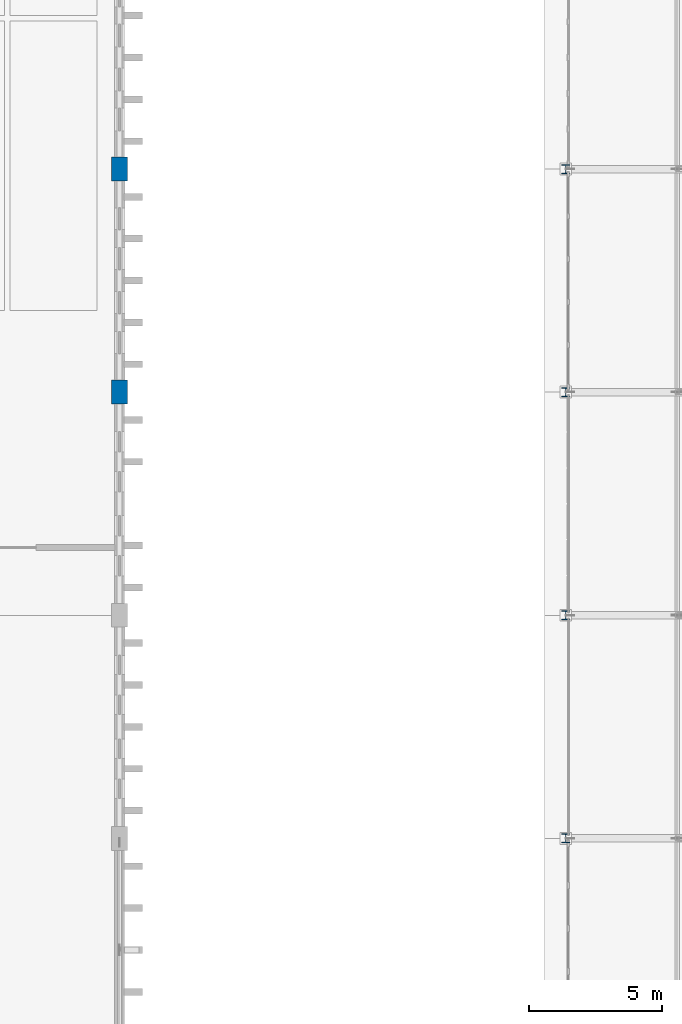
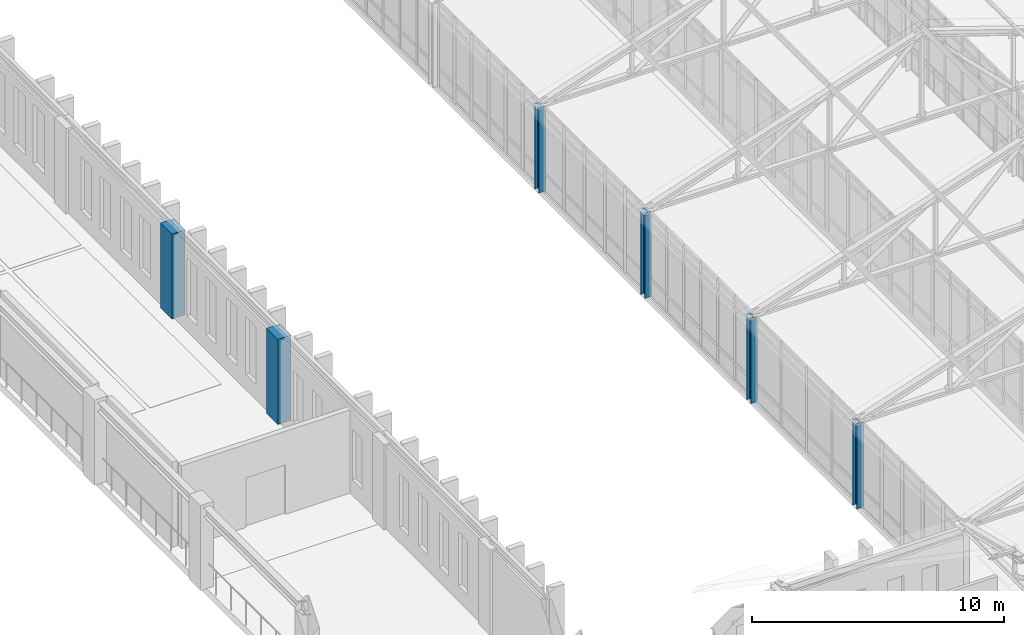
# One storey, part 4 of 192: 6 columns.
"""IFC4 building model written with IfcOpenShell, lengths in metres."""

from ifc_helpers import new_model, si_unit, direction, frame, origin, origin_2d, place, context, subcontext, project, spatial, rectangle, i_section, extrude, material, material_profile, profile_set, type_object, element, save


model = new_model("IFC4")

# Units and contexts
model_context = context("Model", 3, precision=1e-05, world=origin(), true_north=direction((0.0, 1.0)))
body_context = subcontext(model_context, "Body", "Model", "MODEL_VIEW")
ifc_project = project(units=[si_unit("LENGTHUNIT", "METRE"), si_unit("AREAUNIT", "SQUARE_METRE"), si_unit("VOLUMEUNIT", "CUBIC_METRE"), si_unit("PLANEANGLEUNIT", "RADIAN"), si_unit("MASSUNIT", "GRAM", prefix="KILO")], contexts=[model_context])

# Site, building, storey
site_placement = place(None, origin())
site = spatial("IfcSite", under=ifc_project, at=site_placement, CompositionType="ELEMENT")
building_placement = place(site_placement, origin())
building = spatial("IfcBuilding", under=site, at=building_placement, Name="Kveldsbrygga Polytechnic", CompositionType="ELEMENT")
storey_placement = place(building_placement, frame((0.0, 0.0, 5.43994140625)))
storey = spatial("IfcBuildingStorey", under=building, at=storey_placement, Name="L01", CompositionType="ELEMENT", Elevation=5.43994140625)

# Columns
ifc_material_1 = material(Name="Concrete C45/55", Category="concrete")
ifc_material_profile_1 = material_profile(ifc_material_1, rectangle(XDim=0.60009765625, YDim=0.89990234375, at=origin_2d()), Name="RC 600x900")
ifc_profile_set_1 = profile_set([ifc_material_profile_1], Name="Concrete C45/55")
column_type_1 = type_object("IfcColumnType", Name="COL-CRANE-900", PredefinedType="COLUMN", material=ifc_profile_set_1)
for number, where, z_axis, x_axis, name in (
    (1, (33.60009765625, 50.39990234375, 0.0), (0.0, 0.0, 1.0), (1.0, 0.0, 0.0), "Column COL-L01-04-06"),
    (2, (33.60009765625, 58.800048828125, 0.0), (0.0, 0.0, 1.0), (1.0, 0.0, 0.0), "Column COL-L01-04-07"),
):
    element("IfcColumn", number, at=place(storey_placement, frame(where, z_axis=z_axis, x_axis=x_axis)), inside=storey, type_object=column_type_1, Name=name, PredefinedType="COLUMN", context=body_context, shape_type="SweptSolid", body=[
        extrude(rectangle(XDim=0.60009765625, YDim=0.89990234375, at=origin_2d()), origin(), (0.0, 0.0, 1.0), 4.1201171875),
    ])
ifc_material_2 = material(Name="Steel S355", Category="steel")
ifc_material_profile_2 = material_profile(ifc_material_2, i_section(OverallWidth=0.300048828125, OverallDepth=0.340087890625, WebThickness=0.011962890625, FlangeThickness=0.021484375, FilletRadius=0.027099609375, at=origin_2d()), Name="HEB 340")
ifc_profile_set_2 = profile_set([ifc_material_profile_2], Name="Steel S355")
column_type_2 = type_object("IfcColumnType", Name="COL-STL-HEB340", PredefinedType="COLUMN", material=ifc_profile_set_2)
for number, where, z_axis, x_axis, name in (
    (3, (50.39990234375, 33.60009765625, 0.0), (0.0, 0.0, 1.0), (1.0, 0.0, 0.0), "Column COL-L01-06-04"),
    (4, (50.39990234375, 42.0, 0.0), (0.0, 0.0, 1.0), (1.0, 0.0, 0.0), "Column COL-L01-06-05"),
    (5, (50.39990234375, 50.39990234375, 0.0), (0.0, 0.0, 1.0), (1.0, 0.0, 0.0), "Column COL-L01-06-06"),
    (6, (50.39990234375, 58.800048828125, 0.0), (0.0, 0.0, 1.0), (1.0, 0.0, 0.0), "Column COL-L01-06-07"),
):
    element("IfcColumn", number, at=place(storey_placement, frame(where, z_axis=z_axis, x_axis=x_axis)), inside=storey, type_object=column_type_2, Name=name, PredefinedType="COLUMN", context=body_context, shape_type="SweptSolid", body=[
        extrude(i_section(OverallWidth=0.300048828125, OverallDepth=0.340087890625, WebThickness=0.011962890625, FlangeThickness=0.021484375, FilletRadius=0.027099609375, at=origin_2d()), origin(), (0.0, 0.0, 1.0), 4.1201171875),
    ])

save(model, "model.ifc")
